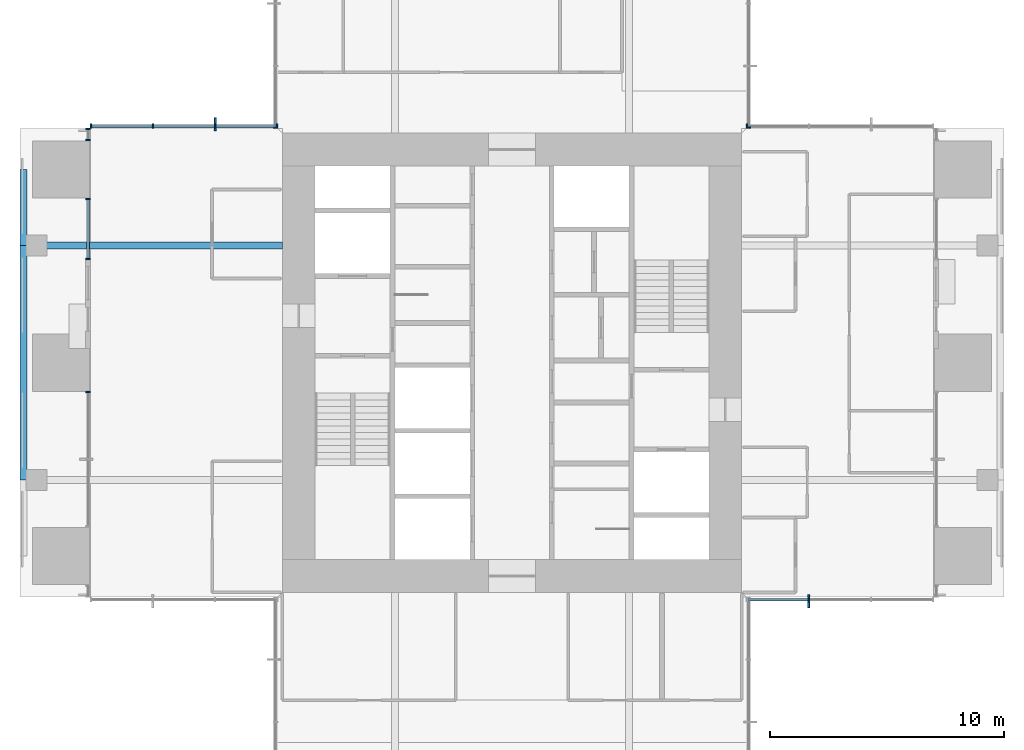
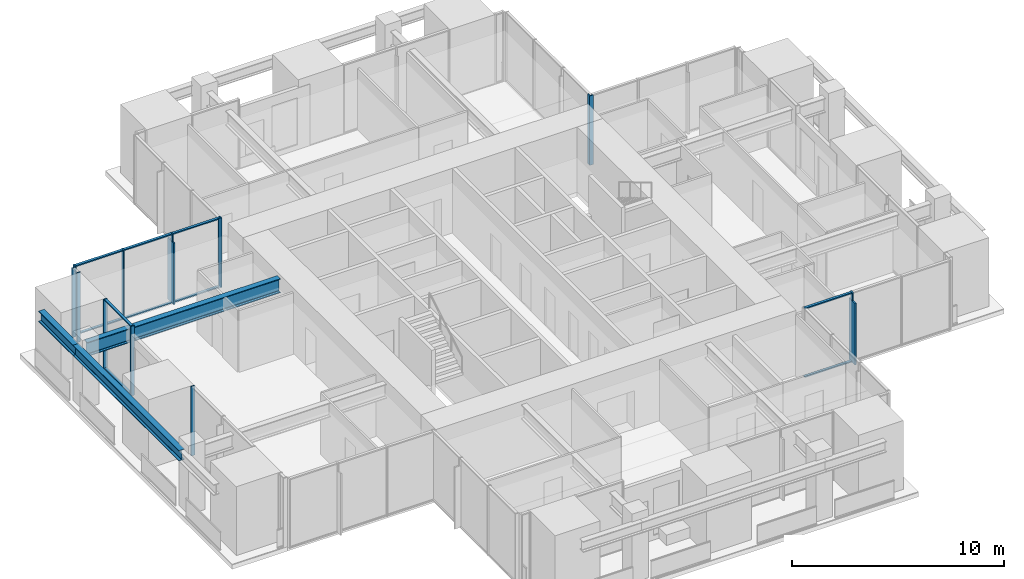
# One storey, part 3 of 17: 25 members, 3 beams, 8 elements without a shape of their own.
"""IFC4 building model written with IfcOpenShell, lengths in metres."""

import ifcopenshell
import ifcopenshell.guid

model = None  # the IFC model being written
_history = None  # IfcOwnerHistory: only IFC2X3 demands one
_inside = {}  # id of a spatial element -> (the spatial element, [elements in it])
_under = {}  # id of a project, library or spatial element -> (it, [spatial elements below it])
_declared = {}  # id of a project -> (the project, [libraries it declares])
_typed = {}  # id of a type object -> (the type object, [elements of that type])
_made_of = {}  # id of a material, layer set ... -> (it, [elements and type objects made of it])


def new_model(schema):
    """Start an empty IFC model of exactly this schema.

    Asked for "IFC4X3", IfcOpenShell would pick the latest addendum, in which some entities
    have other attributes; the version numbers below select the first issue.
    IFC2X3 requires an IfcOwnerHistory on every rooted entity: one is made here for all.
    """
    global model, _history
    if schema == "IFC4X3":
        model = ifcopenshell.file(schema_version=(4, 3, 0, 0))
    else:
        model = ifcopenshell.file(schema=schema)
    _inside.clear()
    _under.clear()
    _declared.clear()
    _typed.clear()
    _made_of.clear()
    _history = None
    if model.schema == "IFC2X3":
        org = make("IfcOrganization", Name="unknown")
        user = make(
            "IfcPersonAndOrganization",
            ThePerson=make("IfcPerson", FamilyName="unknown"),
            TheOrganization=org,
        )
        app = make(
            "IfcApplication",
            ApplicationDeveloper=org,
            Version="unknown",
            ApplicationFullName="unknown",
            ApplicationIdentifier="unknown",
        )
        _history = make(
            "IfcOwnerHistory",
            OwningUser=user,
            OwningApplication=app,
            ChangeAction="ADDED",
            CreationDate=0,
        )
    return model


def make(cls, **values):
    """One entity of the class cls with the attributes given. An attribute that is None is left unset."""
    return model.create_entity(
        cls, **{name: value for name, value in values.items() if value is not None}
    )


def rooted(cls, **values):
    """An entity with a GlobalId (a new one), such as an element, a storey or a relation."""
    return make(cls, GlobalId=ifcopenshell.guid.new(), OwnerHistory=_history, **values)


def si_unit(unit_type, name, prefix=None):
    """IfcSIUnit, for example si_unit("LENGTHUNIT", "METRE", prefix="MILLI")."""
    return make("IfcSIUnit", UnitType=unit_type, Prefix=prefix, Name=name)


def assignment(units):
    """IfcUnitAssignment: the units of a project."""
    return None if units is None else make("IfcUnitAssignment", Units=units)


def point(xyz):
    """IfcCartesianPoint."""
    return None if xyz is None else make("IfcCartesianPoint", Coordinates=xyz)


def direction(xyz):
    """IfcDirection."""
    return None if xyz is None else make("IfcDirection", DirectionRatios=xyz)


def frame(location, z_axis=None, x_axis=None):
    """IfcAxis2Placement3D, a coordinate frame: its origin and axes. An axis left out is left unset."""
    return make(
        "IfcAxis2Placement3D",
        Location=point(location),
        Axis=direction(z_axis),
        RefDirection=direction(x_axis),
    )


def frame_2d(location, x_axis=None):
    """IfcAxis2Placement2D, a coordinate frame in the plane: its origin and x axis."""
    return make(
        "IfcAxis2Placement2D", Location=point(location), RefDirection=direction(x_axis)
    )


def origin():
    """The frame at (0, 0, 0) with its axes left unset."""
    return frame((0.0, 0.0, 0.0))


def origin_2d():
    """The frame at (0, 0) in the plane with its x axis left unset."""
    return frame_2d((0.0, 0.0))


def place(relative_to, where):
    """IfcLocalPlacement: puts the frame where relative to a parent placement (None: the world)."""
    return make(
        "IfcLocalPlacement", PlacementRelTo=relative_to, RelativePlacement=where
    )


def context(
    kind, dimensions, precision=None, world=None, true_north=None, identifier=None
):
    """IfcGeometricRepresentationContext, for example the 3D "Model" context."""
    return make(
        "IfcGeometricRepresentationContext",
        ContextIdentifier=identifier,
        ContextType=kind,
        CoordinateSpaceDimension=dimensions,
        Precision=precision,
        WorldCoordinateSystem=world,
        TrueNorth=true_north,
    )


def subcontext(parent, identifier, kind, view, scale=None):
    """IfcGeometricRepresentationSubContext, for example "Body" below "Model"."""
    return make(
        "IfcGeometricRepresentationSubContext",
        ContextIdentifier=identifier,
        ContextType=kind,
        ParentContext=parent,
        TargetScale=scale,
        TargetView=view,
    )


def project(units=None, contexts=None):
    """IfcProject with its units and contexts."""
    return rooted(
        "IfcProject",
        Name="project",
        RepresentationContexts=contexts,
        UnitsInContext=assignment(units),
    )


def spatial(cls, under=None, at=None, **own):
    """A site, building, storey or space (cls), placed at a placement, below another one or the project."""
    s = rooted(cls, ObjectPlacement=at, **own)
    if under is not None:
        _under.setdefault(under.id(), (under, []))[1].append(s)
    return s


def profile(cls, at=None, kind="AREA", **sizes):
    """A parametric profile (cls). Its sizes go by their IFC names, for example OverallWidth=200.0."""
    return make(cls, ProfileType=kind, Position=at, **sizes)


def rectangle(**sizes):
    """IfcRectangleProfileDef."""
    return profile("IfcRectangleProfileDef", **sizes)


def i_section(**sizes):
    """IfcIShapeProfileDef."""
    return profile("IfcIShapeProfileDef", **sizes)


def extrude(swept, where, along, depth):
    """IfcExtrudedAreaSolid: the profile swept, set in the frame where, extruded along a direction by depth."""
    return make(
        "IfcExtrudedAreaSolid",
        SweptArea=swept,
        Position=where,
        ExtrudedDirection=direction(along),
        Depth=depth,
    )


def shape(context_of_items, identifier, shape_type, items):
    """IfcShapeRepresentation: the items that make up one representation, for example the "Body"."""
    return make(
        "IfcShapeRepresentation",
        ContextOfItems=context_of_items,
        RepresentationIdentifier=identifier,
        RepresentationType=shape_type,
        Items=items,
    )


def material(Name=None, Category=None):
    """IfcMaterial."""
    return make("IfcMaterial", Name=Name, Category=Category)


def material_profile(
    of_material, cross_section, Name=None, Category=None, Priority=None
):
    """IfcMaterialProfile: a cross section and its material."""
    return make(
        "IfcMaterialProfile",
        Name=Name,
        Material=of_material,
        Profile=cross_section,
        Priority=Priority,
        Category=Category,
    )


def profile_set(profiles, Name=None, composite=None):
    """IfcMaterialProfileSet."""
    return make(
        "IfcMaterialProfileSet",
        Name=Name,
        MaterialProfiles=profiles,
        CompositeProfile=composite,
    )


def made_of(thing, what):
    """Note that an element or type object is made of a material, layer set ...; save() writes the relation."""
    if what is not None:
        _made_of.setdefault(what.id(), (what, []))[1].append(thing)
    return thing


def type_object(cls, material=None, **own):
    """A type object (cls), such as IfcWallType, which elements share."""
    return made_of(rooted(cls, **own), material)


def element(
    cls,
    number,
    at=None,
    inside=None,
    cuts=None,
    type_object=None,
    material=None,
    context=None,
    identifier="Body",
    shape_type=None,
    held_by="IfcProductDefinitionShape",
    body=None,
    shapes=None,
    **own,
):
    """One element of the class cls, such as IfcWall. Its Tag is "e" and its number.

    at: its placement. inside: the storey or other place that contains it. cuts: it is an
    opening in that element (IfcRelVoidsElement). A single representation is given by context,
    identifier, shape_type and body (its items); several are given by shapes. held_by: the class
    of the entity that holds the representations. save() writes the other relations.
    """
    e = rooted(cls, Tag="e%d" % number, ObjectPlacement=at, **own)
    if body is not None:
        shapes = [shape(context, identifier, shape_type, body)]
    if shapes is not None:
        e.Representation = make(held_by, Representations=shapes)
    if inside is not None:
        _inside.setdefault(inside.id(), (inside, []))[1].append(e)
    if cuts is not None:
        rooted(
            "IfcRelVoidsElement", RelatingBuildingElement=cuts, RelatedOpeningElement=e
        )
    if type_object is not None:
        _typed.setdefault(type_object.id(), (type_object, []))[1].append(e)
    return made_of(e, material)


def aggregate(whole, parts):
    """IfcRelAggregates: a whole, such as a stair, and the parts it consists of."""
    return rooted("IfcRelAggregates", RelatingObject=whole, RelatedObjects=parts)


def save(model, path):
    """Write the relations noted so far, then the file.

    IfcRelAggregates (storeys below a building ...), IfcRelContainedInSpatialStructure (elements
    in a storey), IfcRelDefinesByType, IfcRelAssociatesMaterial and IfcRelDeclares: one each for
    every whole, place, type object, material and project.
    """
    for whole, parts in _under.values():
        aggregate(whole, parts)
    for where, things in _inside.values():
        rooted(
            "IfcRelContainedInSpatialStructure",
            RelatedElements=things,
            RelatingStructure=where,
        )
    for kind, things in _typed.values():
        rooted("IfcRelDefinesByType", RelatedObjects=things, RelatingType=kind)
    for what, things in _made_of.values():
        rooted("IfcRelAssociatesMaterial", RelatedObjects=things, RelatingMaterial=what)
    for by, libraries in _declared.values():
        rooted("IfcRelDeclares", RelatingContext=by, RelatedDefinitions=libraries)
    model.write(path)


model = new_model("IFC4")

# Units and contexts
model_context = context("Model", 3, precision=1e-05, world=origin(), true_north=direction((0.0, 1.0)))
body_context = subcontext(model_context, "Body", "Model", "MODEL_VIEW")
ifc_project = project(units=[si_unit("LENGTHUNIT", "METRE"), si_unit("AREAUNIT", "SQUARE_METRE"), si_unit("VOLUMEUNIT", "CUBIC_METRE"), si_unit("PLANEANGLEUNIT", "RADIAN"), si_unit("MASSUNIT", "GRAM", prefix="KILO")], contexts=[model_context])

# Site, building, storey
site_placement = place(None, origin())
site = spatial("IfcSite", under=ifc_project, at=site_placement, CompositionType="ELEMENT")
building_placement = place(site_placement, origin())
building = spatial("IfcBuilding", under=site, at=building_placement, Name="Svetlomir Tower", CompositionType="ELEMENT")
storey_placement = place(building_placement, frame((0.0, 0.0, 230.5)))
storey = spatial("IfcBuildingStorey", under=building, at=storey_placement, Name="L55", CompositionType="ELEMENT", Elevation=230.5)

# Curtain wall, member
ifc_material_1 = material(Name="Bronze anodised aluminium curtain wall", Category="aluminium")
curtain_wall_type = type_object("IfcCurtainWallType", Name="CURTAIN WALL CW1 TOWER OFFICE", PredefinedType="NOTDEFINED", material=ifc_material_1)
curtain_wall_1_placement = place(storey_placement, origin())
curtain_wall_1 = element("IfcCurtainWall", 1, at=curtain_wall_1_placement, inside=storey, type_object=curtain_wall_type, Name="Curtain wall CW1 L55", PredefinedType="NOTDEFINED")
ifc_material_2 = material(Name="Bronze anodised aluminium", Category="aluminium")
ifc_material_profile_1 = material_profile(ifc_material_2, rectangle(XDim=0.080078125, YDim=0.550048828125, at=origin_2d()), Name="FIN 80x550")
ifc_profile_set_1 = profile_set([ifc_material_profile_1], Name="Bronze anodised aluminium 6063-T6")
member_type_1 = type_object("IfcMemberType", Name="BRONZE FIN 80x550", PredefinedType="USERDEFINED", material=ifc_profile_set_1)
member_1_placement = place(storey_placement, frame((33.666748046875, 10.824951171875, 0.0), z_axis=(0.0, 0.0, 1.0), x_axis=(1.0, 0.0, 0.0)))
member_1 = element("IfcMember", 2, at=member_1_placement, type_object=member_type_1, Name="Bronze fin L55", ObjectType="FIN", PredefinedType="USERDEFINED", context=body_context, shape_type="SweptSolid", body=[
    extrude(rectangle(XDim=0.080078125, YDim=0.550048828125, at=origin_2d()), origin(), (0.0, 0.0, 1.0), 3.550048828125),
])

curtain_wall_2_placement = place(storey_placement, origin())
curtain_wall_2 = element("IfcCurtainWall", 3, at=curtain_wall_2_placement, inside=storey, type_object=curtain_wall_type, Name="Curtain wall CW1 L55", PredefinedType="NOTDEFINED")
member_2_placement = place(storey_placement, frame((8.333251953125, 31.175048828125, 0.0), z_axis=(0.0, 0.0, 1.0), x_axis=(1.0, 0.0, 0.0)))
member_2 = element("IfcMember", 4, at=member_2_placement, type_object=member_type_1, Name="Bronze fin L55", ObjectType="FIN", PredefinedType="USERDEFINED", context=body_context, shape_type="SweptSolid", body=[
    extrude(rectangle(XDim=0.080078125, YDim=0.550048828125, at=origin_2d()), origin(), (0.0, 0.0, 1.0), 3.550048828125),
])

# Member
ifc_material_3 = material(Name="Bronze anodised aluminium", Category="aluminium")
ifc_material_profile_2 = material_profile(ifc_material_3, rectangle(XDim=0.06494140625, YDim=0.199951171875, at=origin_2d()), Name="AL 65x200")
ifc_profile_set_2 = profile_set([ifc_material_profile_2], Name="Bronze anodised aluminium 6063-T6")
member_type_2 = type_object("IfcMemberType", Name="CW1 MULLION 65x200", PredefinedType="MULLION", material=ifc_profile_set_2)
member_3_placement = place(storey_placement, frame((33.666748046875, 10.89990234375, 0.0), z_axis=(0.0, 0.0, 1.0), x_axis=(1.0, 0.0, 0.0)))
member_3 = element("IfcMember", 5, at=member_3_placement, type_object=member_type_2, Name="CW1 mullion 2", PredefinedType="MULLION", context=body_context, shape_type="SweptSolid", body=[
    extrude(rectangle(XDim=0.06494140625, YDim=0.199951171875, at=origin_2d()), origin(), (0.0, 0.0, 1.0), 4.0),
])

# Curtain wall, member
curtain_wall_3_placement = place(storey_placement, origin())
curtain_wall_3 = element("IfcCurtainWall", 6, at=curtain_wall_3_placement, inside=storey, type_object=curtain_wall_type, Name="Curtain wall CW1 L55", PredefinedType="NOTDEFINED")
member_4_placement = place(storey_placement, frame((31.032470703125, 31.10009765625, 0.0), z_axis=(0.0, 0.0, 1.0), x_axis=(-1.0, 0.0, 0.0)))
member_4 = element("IfcMember", 7, at=member_4_placement, type_object=member_type_2, Name="CW1 mullion 4", PredefinedType="MULLION", context=body_context, shape_type="SweptSolid", body=[
    extrude(rectangle(XDim=0.06494140625, YDim=0.199951171875, at=origin_2d()), origin(), (0.0, 0.0, 1.0), 4.0),
])
aggregate(curtain_wall_3, [member_4])

curtain_wall_4_placement = place(storey_placement, origin())
curtain_wall_4 = element("IfcCurtainWall", 8, at=curtain_wall_4_placement, inside=storey, type_object=curtain_wall_type, Name="Curtain wall CW1 L55", PredefinedType="NOTDEFINED")
member_5_placement = place(storey_placement, frame((31.10009765625, 31.032470703125, 0.0), z_axis=(0.0, 0.0, 1.0), x_axis=(0.0, 1.0, 0.0)))
member_5 = element("IfcMember", 9, at=member_5_placement, type_object=member_type_2, Name="CW1 mullion 1", PredefinedType="MULLION", context=body_context, shape_type="SweptSolid", body=[
    extrude(rectangle(XDim=0.06494140625, YDim=0.199951171875, at=origin_2d()), origin(), (0.0, 0.0, 1.0), 4.0),
])
aggregate(curtain_wall_4, [member_5])

curtain_wall_5_placement = place(storey_placement, origin())
curtain_wall_5 = element("IfcCurtainWall", 10, at=curtain_wall_5_placement, inside=storey, type_object=curtain_wall_type, Name="Curtain wall CW1 L55", PredefinedType="NOTDEFINED")
member_6_placement = place(storey_placement, frame((10.89990234375, 31.032470703125, 0.0), z_axis=(0.0, 0.0, 1.0), x_axis=(0.0, -1.0, 0.0)))
member_6 = element("IfcMember", 11, at=member_6_placement, type_object=member_type_2, Name="CW1 mullion 4", PredefinedType="MULLION", context=body_context, shape_type="SweptSolid", body=[
    extrude(rectangle(XDim=0.06494140625, YDim=0.199951171875, at=origin_2d()), origin(), (0.0, 0.0, 1.0), 4.0),
])
aggregate(curtain_wall_5, [member_6])

# Member
member_7_placement = place(storey_placement, frame((10.967529296875, 31.10009765625, 0.0), z_axis=(0.0, 0.0, 1.0), x_axis=(-1.0, 0.0, 0.0)))
member_7 = element("IfcMember", 12, at=member_7_placement, type_object=member_type_2, Name="CW1 mullion 1", PredefinedType="MULLION", context=body_context, shape_type="SweptSolid", body=[
    extrude(rectangle(XDim=0.06494140625, YDim=0.199951171875, at=origin_2d()), origin(), (0.0, 0.0, 1.0), 4.0),
])

member_8_placement = place(storey_placement, frame((8.333251953125, 31.10009765625, 0.0), z_axis=(0.0, 0.0, 1.0), x_axis=(-1.0, 0.0, 0.0)))
member_8 = element("IfcMember", 13, at=member_8_placement, type_object=member_type_2, Name="CW1 mullion 2", PredefinedType="MULLION", context=body_context, shape_type="SweptSolid", body=[
    extrude(rectangle(XDim=0.06494140625, YDim=0.199951171875, at=origin_2d()), origin(), (0.0, 0.0, 1.0), 4.0),
])

member_9_placement = place(storey_placement, frame((5.666748046875, 31.10009765625, 0.0), z_axis=(0.0, 0.0, 1.0), x_axis=(-1.0, 0.0, 0.0)))
member_9 = element("IfcMember", 14, at=member_9_placement, type_object=member_type_2, Name="CW1 mullion 3", PredefinedType="MULLION", context=body_context, shape_type="SweptSolid", body=[
    extrude(rectangle(XDim=0.06494140625, YDim=0.199951171875, at=origin_2d()), origin(), (0.0, 0.0, 1.0), 4.0),
])

member_10_placement = place(storey_placement, frame((3.032470703125, 31.10009765625, 0.0), z_axis=(0.0, 0.0, 1.0), x_axis=(-1.0, 0.0, 0.0)))
member_10 = element("IfcMember", 15, at=member_10_placement, type_object=member_type_2, Name="CW1 mullion 4", PredefinedType="MULLION", context=body_context, shape_type="SweptSolid", body=[
    extrude(rectangle(XDim=0.06494140625, YDim=0.199951171875, at=origin_2d()), origin(), (0.0, 0.0, 1.0), 4.0),
])

# Curtain wall, members
curtain_wall_6_placement = place(storey_placement, origin())
curtain_wall_6 = element("IfcCurtainWall", 16, at=curtain_wall_6_placement, inside=storey, type_object=curtain_wall_type, Name="Curtain wall CW1 L55", PredefinedType="NOTDEFINED")
member_11_placement = place(storey_placement, frame((2.89990234375, 30.967529296875, 0.0), z_axis=(0.0, 0.0, 1.0), x_axis=(0.0, -1.0, 0.0)))
member_11 = element("IfcMember", 17, at=member_11_placement, type_object=member_type_2, Name="CW1 mullion 1", PredefinedType="MULLION", context=body_context, shape_type="SweptSolid", body=[
    extrude(rectangle(XDim=0.06494140625, YDim=0.199951171875, at=origin_2d()), origin(), (0.0, 0.0, 1.0), 4.0),
])
member_12_placement = place(storey_placement, frame((2.89990234375, 30.507568359375, 0.0), z_axis=(0.0, 0.0, 1.0), x_axis=(0.0, -1.0, 0.0)))
member_12 = element("IfcMember", 18, at=member_12_placement, type_object=member_type_2, Name="CW1 mullion 2", PredefinedType="MULLION", context=body_context, shape_type="SweptSolid", body=[
    extrude(rectangle(XDim=0.06494140625, YDim=0.199951171875, at=origin_2d()), origin(), (0.0, 0.0, 1.0), 4.0),
])
aggregate(curtain_wall_6, [member_11, member_12])

curtain_wall_7_placement = place(storey_placement, origin())
curtain_wall_7 = element("IfcCurtainWall", 19, at=curtain_wall_7_placement, inside=storey, type_object=curtain_wall_type, Name="Curtain wall CW1 L55", PredefinedType="NOTDEFINED")
member_13_placement = place(storey_placement, frame((2.89990234375, 27.992431640625, 0.0), z_axis=(0.0, 0.0, 1.0), x_axis=(0.0, -1.0, 0.0)))
member_13 = element("IfcMember", 20, at=member_13_placement, type_object=member_type_2, Name="CW1 mullion 1", PredefinedType="MULLION", context=body_context, shape_type="SweptSolid", body=[
    extrude(rectangle(XDim=0.06494140625, YDim=0.199951171875, at=origin_2d()), origin(), (0.0, 0.0, 1.0), 4.0),
])
member_14_placement = place(storey_placement, frame((2.89990234375, 25.4326171875, 0.0), z_axis=(0.0, 0.0, 1.0), x_axis=(0.0, -1.0, 0.0)))
member_14 = element("IfcMember", 21, at=member_14_placement, type_object=member_type_2, Name="CW1 mullion 2", PredefinedType="MULLION", context=body_context, shape_type="SweptSolid", body=[
    extrude(rectangle(XDim=0.06494140625, YDim=0.199951171875, at=origin_2d()), origin(), (0.0, 0.0, 1.0), 4.0),
])

# Curtain wall, member
curtain_wall_8_placement = place(storey_placement, origin())
curtain_wall_8 = element("IfcCurtainWall", 22, at=curtain_wall_8_placement, inside=storey, type_object=curtain_wall_type, Name="Curtain wall CW1 L55", PredefinedType="NOTDEFINED")
member_15_placement = place(storey_placement, frame((2.89990234375, 19.742431640625, 0.0), z_axis=(0.0, 0.0, 1.0), x_axis=(0.0, -1.0, 0.0)))
member_15 = element("IfcMember", 23, at=member_15_placement, type_object=member_type_2, Name="CW1 mullion 1", PredefinedType="MULLION", context=body_context, shape_type="SweptSolid", body=[
    extrude(rectangle(XDim=0.06494140625, YDim=0.199951171875, at=origin_2d()), origin(), (0.0, 0.0, 1.0), 4.0),
])
aggregate(curtain_wall_8, [member_15])

# Member
ifc_material_4 = material(Name="Bronze anodised aluminium", Category="aluminium")
ifc_material_profile_3 = material_profile(ifc_material_4, rectangle(XDim=0.139892578125, YDim=0.06494140625, at=origin_2d()), Name="AL 140x65")
ifc_profile_set_3 = profile_set([ifc_material_profile_3], Name="Bronze anodised aluminium 6063-T6")
member_type_3 = type_object("IfcMemberType", Name="CW1 TRANSOM 65x140", PredefinedType="USERDEFINED", material=ifc_profile_set_3)
member_16_placement = place(storey_placement, frame((31.06494140625, 10.89990234375, 0.032470703125), z_axis=(1.0, 0.0, 0.0), x_axis=(0.0, 1.0, 0.0)))
member_16 = element("IfcMember", 24, at=member_16_placement, type_object=member_type_3, Name="CW1 transom 1.1", ObjectType="TRANSOM", PredefinedType="USERDEFINED", context=body_context, shape_type="SweptSolid", body=[
    extrude(rectangle(XDim=0.139892578125, YDim=0.06494140625, at=origin_2d()), origin(), (0.0, 0.0, 1.0), 2.5693359375),
])

member_17_placement = place(storey_placement, frame((31.06494140625, 10.89990234375, 3.967529296875), z_axis=(1.0, 0.0, 0.0), x_axis=(0.0, 1.0, 0.0)))
member_17 = element("IfcMember", 25, at=member_17_placement, type_object=member_type_3, Name="CW1 transom 1.2", ObjectType="TRANSOM", PredefinedType="USERDEFINED", context=body_context, shape_type="SweptSolid", body=[
    extrude(rectangle(XDim=0.139892578125, YDim=0.06494140625, at=origin_2d()), origin(), (0.0, 0.0, 1.0), 2.5693359375),
])

aggregate(curtain_wall_1, [member_3, member_16, member_17, member_1])

member_18_placement = place(storey_placement, frame((10.93505859375, 31.10009765625, 0.032470703125), z_axis=(-1.0, 0.0, 0.0), x_axis=(0.0, -1.0, 0.0)))
member_18 = element("IfcMember", 26, at=member_18_placement, type_object=member_type_3, Name="CW1 transom 1.1", ObjectType="TRANSOM", PredefinedType="USERDEFINED", context=body_context, shape_type="SweptSolid", body=[
    extrude(rectangle(XDim=0.139892578125, YDim=0.06494140625, at=origin_2d()), origin(), (0.0, 0.0, 1.0), 2.5693359375),
])

member_19_placement = place(storey_placement, frame((10.93505859375, 31.10009765625, 3.967529296875), z_axis=(-1.0, 0.0, 0.0), x_axis=(0.0, -1.0, 0.0)))
member_19 = element("IfcMember", 27, at=member_19_placement, type_object=member_type_3, Name="CW1 transom 1.2", ObjectType="TRANSOM", PredefinedType="USERDEFINED", context=body_context, shape_type="SweptSolid", body=[
    extrude(rectangle(XDim=0.139892578125, YDim=0.06494140625, at=origin_2d()), origin(), (0.0, 0.0, 1.0), 2.5693359375),
])

member_20_placement = place(storey_placement, frame((8.30078125, 31.10009765625, 0.032470703125), z_axis=(-1.0, 0.0, 0.0), x_axis=(0.0, -1.0, 0.0)))
member_20 = element("IfcMember", 28, at=member_20_placement, type_object=member_type_3, Name="CW1 transom 2.1", ObjectType="TRANSOM", PredefinedType="USERDEFINED", context=body_context, shape_type="SweptSolid", body=[
    extrude(rectangle(XDim=0.139892578125, YDim=0.06494140625, at=origin_2d()), origin(), (0.0, 0.0, 1.0), 2.6015625),
])

member_21_placement = place(storey_placement, frame((8.30078125, 31.10009765625, 3.967529296875), z_axis=(-1.0, 0.0, 0.0), x_axis=(0.0, -1.0, 0.0)))
member_21 = element("IfcMember", 29, at=member_21_placement, type_object=member_type_3, Name="CW1 transom 2.2", ObjectType="TRANSOM", PredefinedType="USERDEFINED", context=body_context, shape_type="SweptSolid", body=[
    extrude(rectangle(XDim=0.139892578125, YDim=0.06494140625, at=origin_2d()), origin(), (0.0, 0.0, 1.0), 2.6015625),
])

member_22_placement = place(storey_placement, frame((5.63427734375, 31.10009765625, 0.032470703125), z_axis=(-1.0, 0.0, 0.0), x_axis=(0.0, -1.0, 0.0)))
member_22 = element("IfcMember", 30, at=member_22_placement, type_object=member_type_3, Name="CW1 transom 3.1", ObjectType="TRANSOM", PredefinedType="USERDEFINED", context=body_context, shape_type="SweptSolid", body=[
    extrude(rectangle(XDim=0.139892578125, YDim=0.06494140625, at=origin_2d()), origin(), (0.0, 0.0, 1.0), 2.5693359375),
])

member_23_placement = place(storey_placement, frame((5.63427734375, 31.10009765625, 3.967529296875), z_axis=(-1.0, 0.0, 0.0), x_axis=(0.0, -1.0, 0.0)))
member_23 = element("IfcMember", 31, at=member_23_placement, type_object=member_type_3, Name="CW1 transom 3.2", ObjectType="TRANSOM", PredefinedType="USERDEFINED", context=body_context, shape_type="SweptSolid", body=[
    extrude(rectangle(XDim=0.139892578125, YDim=0.06494140625, at=origin_2d()), origin(), (0.0, 0.0, 1.0), 2.5693359375),
])

aggregate(curtain_wall_2, [member_7, member_8, member_9, member_10, member_18, member_19, member_20, member_21, member_22, member_23, member_2])

member_24_placement = place(storey_placement, frame((2.89990234375, 27.9599609375, 0.032470703125), z_axis=(0.0, -1.0, 0.0), x_axis=(1.0, 0.0, 0.0)))
member_24 = element("IfcMember", 32, at=member_24_placement, type_object=member_type_3, Name="CW1 transom 1.1", ObjectType="TRANSOM", PredefinedType="USERDEFINED", context=body_context, shape_type="SweptSolid", body=[
    extrude(rectangle(XDim=0.139892578125, YDim=0.06494140625, at=origin_2d()), origin(), (0.0, 0.0, 1.0), 2.494873046875),
])

member_25_placement = place(storey_placement, frame((2.89990234375, 27.9599609375, 3.967529296875), z_axis=(0.0, -1.0, 0.0), x_axis=(1.0, 0.0, 0.0)))
member_25 = element("IfcMember", 33, at=member_25_placement, type_object=member_type_3, Name="CW1 transom 1.2", ObjectType="TRANSOM", PredefinedType="USERDEFINED", context=body_context, shape_type="SweptSolid", body=[
    extrude(rectangle(XDim=0.139892578125, YDim=0.06494140625, at=origin_2d()), origin(), (0.0, 0.0, 1.0), 2.494873046875),
])

aggregate(curtain_wall_7, [member_13, member_14, member_24, member_25])

# Beams
ifc_material_5 = material(Name="Steel S355", Category="steel")
ifc_material_profile_4 = material_profile(ifc_material_5, i_section(OverallWidth=0.304931640625, OverallDepth=0.6201171875, WebThickness=0.02099609375, FlangeThickness=0.0400390625, FilletRadius=0.027099609375, at=origin_2d()), Name="HEM 600")
ifc_profile_set_4 = profile_set([ifc_material_profile_4], Name="Steel S355")
beam_type_1 = type_object("IfcBeamType", Name="EDGE BEAM HEM 600", PredefinedType="SPANDREL", material=ifc_profile_set_4)
beam_1_placement = place(storey_placement, frame((0.152587890625, 16.0, 3.239990234375), z_axis=(0.0, 1.0, 0.0), x_axis=(-1.0, 0.0, 0.0)))
element("IfcBeam", 34, at=beam_1_placement, inside=storey, type_object=beam_type_1, Name="Edge beam 0/16 to 0/26 under L56", PredefinedType="SPANDREL", context=body_context, shape_type="SweptSolid", body=[
    extrude(i_section(OverallWidth=0.304931640625, OverallDepth=0.6201171875, WebThickness=0.02099609375, FlangeThickness=0.0400390625, FilletRadius=0.027099609375, at=origin_2d()), origin(), (0.0, 0.0, 1.0), 10.0),
])
beam_2_placement = place(storey_placement, frame((0.152587890625, 26.0, 3.239990234375), z_axis=(0.0, 1.0, 0.0), x_axis=(-1.0, 0.0, 0.0)))
element("IfcBeam", 35, at=beam_2_placement, inside=storey, type_object=beam_type_1, Name="Edge beam 0/26 to 0/31 under L56", PredefinedType="SPANDREL", context=body_context, shape_type="SweptSolid", body=[
    extrude(i_section(OverallWidth=0.304931640625, OverallDepth=0.6201171875, WebThickness=0.02099609375, FlangeThickness=0.0400390625, FilletRadius=0.027099609375, at=origin_2d()), origin(), (0.0, 0.0, 1.0), 3.25),
])
ifc_material_6 = material(Name="Steel S355", Category="steel")
ifc_material_profile_5 = material_profile(ifc_material_6, i_section(OverallWidth=0.302978515625, OverallDepth=0.81396484375, WebThickness=0.02099609375, FlangeThickness=0.0400390625, FilletRadius=0.030029296875, at=origin_2d()), Name="HEM 800")
ifc_profile_set_5 = profile_set([ifc_material_profile_5], Name="Steel S355")
beam_type_2 = type_object("IfcBeamType", Name="PLANT FLOOR BEAM HEM 800", PredefinedType="BEAM", material=ifc_profile_set_5)
beam_3_placement = place(storey_placement, frame((0.699951171875, 26.0, 3.14306640625), z_axis=(1.0, 0.0, 0.0), x_axis=(0.0, 1.0, 0.0)))
element("IfcBeam", 36, at=beam_3_placement, inside=storey, type_object=beam_type_2, Name="Plant floor beam W 26 under L56", PredefinedType="BEAM", context=body_context, shape_type="SweptSolid", body=[
    extrude(i_section(OverallWidth=0.302978515625, OverallDepth=0.81396484375, WebThickness=0.02099609375, FlangeThickness=0.0400390625, FilletRadius=0.030029296875, at=origin_2d()), origin(), (0.0, 0.0, 1.0), 10.5),
])

save(model, "model.ifc")
